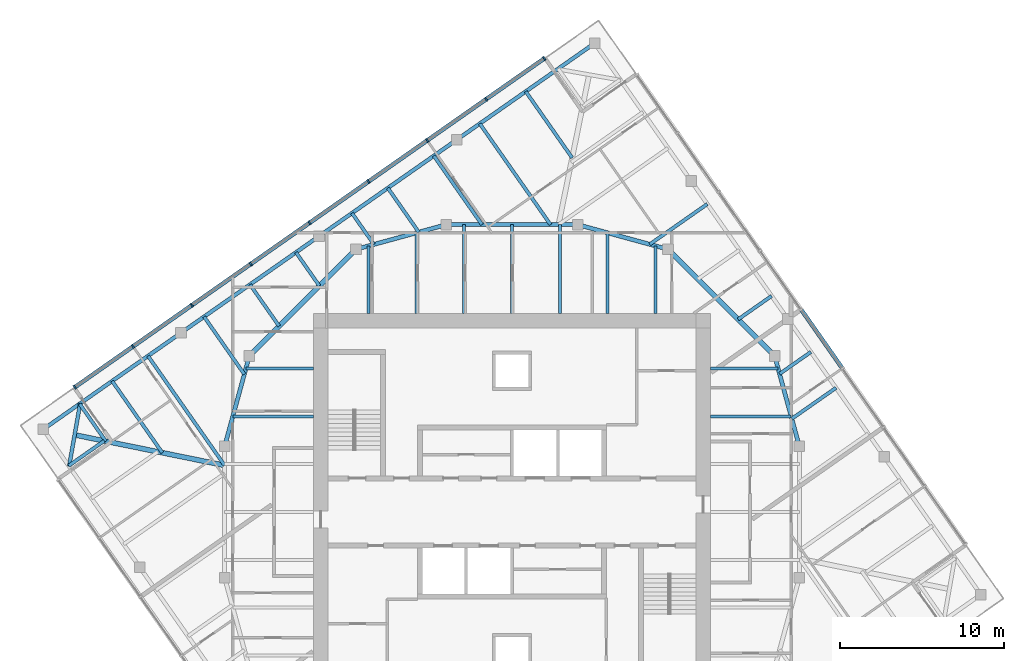
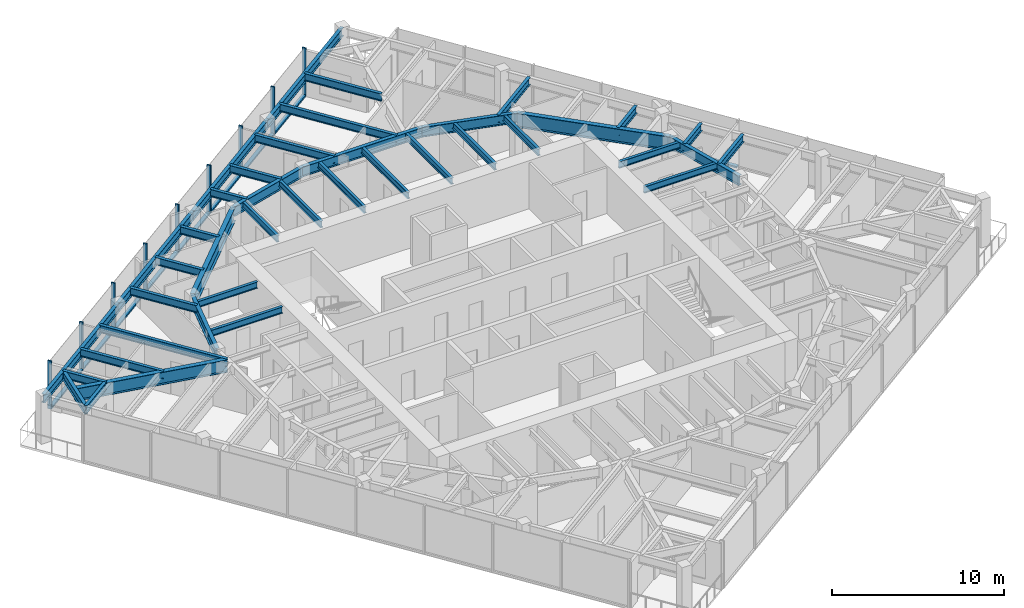
# One storey, part 4 of 12: 40 beams, 18 members, 2 elements without a shape of their own.
"""IFC4 building model written with IfcOpenShell, lengths in metres."""

import ifcopenshell
import ifcopenshell.guid

model = None  # the IFC model being written
_history = None  # IfcOwnerHistory: only IFC2X3 demands one
_inside = {}  # id of a spatial element -> (the spatial element, [elements in it])
_under = {}  # id of a project, library or spatial element -> (it, [spatial elements below it])
_declared = {}  # id of a project -> (the project, [libraries it declares])
_typed = {}  # id of a type object -> (the type object, [elements of that type])
_made_of = {}  # id of a material, layer set ... -> (it, [elements and type objects made of it])


def new_model(schema):
    """Start an empty IFC model of exactly this schema.

    Asked for "IFC4X3", IfcOpenShell would pick the latest addendum, in which some entities
    have other attributes; the version numbers below select the first issue.
    IFC2X3 requires an IfcOwnerHistory on every rooted entity: one is made here for all.
    """
    global model, _history
    if schema == "IFC4X3":
        model = ifcopenshell.file(schema_version=(4, 3, 0, 0))
    else:
        model = ifcopenshell.file(schema=schema)
    _inside.clear()
    _under.clear()
    _declared.clear()
    _typed.clear()
    _made_of.clear()
    _history = None
    if model.schema == "IFC2X3":
        org = make("IfcOrganization", Name="unknown")
        user = make(
            "IfcPersonAndOrganization",
            ThePerson=make("IfcPerson", FamilyName="unknown"),
            TheOrganization=org,
        )
        app = make(
            "IfcApplication",
            ApplicationDeveloper=org,
            Version="unknown",
            ApplicationFullName="unknown",
            ApplicationIdentifier="unknown",
        )
        _history = make(
            "IfcOwnerHistory",
            OwningUser=user,
            OwningApplication=app,
            ChangeAction="ADDED",
            CreationDate=0,
        )
    return model


def make(cls, **values):
    """One entity of the class cls with the attributes given. An attribute that is None is left unset."""
    return model.create_entity(
        cls, **{name: value for name, value in values.items() if value is not None}
    )


def rooted(cls, **values):
    """An entity with a GlobalId (a new one), such as an element, a storey or a relation."""
    return make(cls, GlobalId=ifcopenshell.guid.new(), OwnerHistory=_history, **values)


def si_unit(unit_type, name, prefix=None):
    """IfcSIUnit, for example si_unit("LENGTHUNIT", "METRE", prefix="MILLI")."""
    return make("IfcSIUnit", UnitType=unit_type, Prefix=prefix, Name=name)


def assignment(units):
    """IfcUnitAssignment: the units of a project."""
    return None if units is None else make("IfcUnitAssignment", Units=units)


def point(xyz):
    """IfcCartesianPoint."""
    return None if xyz is None else make("IfcCartesianPoint", Coordinates=xyz)


def direction(xyz):
    """IfcDirection."""
    return None if xyz is None else make("IfcDirection", DirectionRatios=xyz)


def frame(location, z_axis=None, x_axis=None):
    """IfcAxis2Placement3D, a coordinate frame: its origin and axes. An axis left out is left unset."""
    return make(
        "IfcAxis2Placement3D",
        Location=point(location),
        Axis=direction(z_axis),
        RefDirection=direction(x_axis),
    )


def frame_2d(location, x_axis=None):
    """IfcAxis2Placement2D, a coordinate frame in the plane: its origin and x axis."""
    return make(
        "IfcAxis2Placement2D", Location=point(location), RefDirection=direction(x_axis)
    )


def origin():
    """The frame at (0, 0, 0) with its axes left unset."""
    return frame((0.0, 0.0, 0.0))


def origin_2d():
    """The frame at (0, 0) in the plane with its x axis left unset."""
    return frame_2d((0.0, 0.0))


def place(relative_to, where):
    """IfcLocalPlacement: puts the frame where relative to a parent placement (None: the world)."""
    return make(
        "IfcLocalPlacement", PlacementRelTo=relative_to, RelativePlacement=where
    )


def context(
    kind, dimensions, precision=None, world=None, true_north=None, identifier=None
):
    """IfcGeometricRepresentationContext, for example the 3D "Model" context."""
    return make(
        "IfcGeometricRepresentationContext",
        ContextIdentifier=identifier,
        ContextType=kind,
        CoordinateSpaceDimension=dimensions,
        Precision=precision,
        WorldCoordinateSystem=world,
        TrueNorth=true_north,
    )


def subcontext(parent, identifier, kind, view, scale=None):
    """IfcGeometricRepresentationSubContext, for example "Body" below "Model"."""
    return make(
        "IfcGeometricRepresentationSubContext",
        ContextIdentifier=identifier,
        ContextType=kind,
        ParentContext=parent,
        TargetScale=scale,
        TargetView=view,
    )


def project(units=None, contexts=None):
    """IfcProject with its units and contexts."""
    return rooted(
        "IfcProject",
        Name="project",
        RepresentationContexts=contexts,
        UnitsInContext=assignment(units),
    )


def spatial(cls, under=None, at=None, **own):
    """A site, building, storey or space (cls), placed at a placement, below another one or the project."""
    s = rooted(cls, ObjectPlacement=at, **own)
    if under is not None:
        _under.setdefault(under.id(), (under, []))[1].append(s)
    return s


def profile(cls, at=None, kind="AREA", **sizes):
    """A parametric profile (cls). Its sizes go by their IFC names, for example OverallWidth=200.0."""
    return make(cls, ProfileType=kind, Position=at, **sizes)


def rectangle(**sizes):
    """IfcRectangleProfileDef."""
    return profile("IfcRectangleProfileDef", **sizes)


def i_section(**sizes):
    """IfcIShapeProfileDef."""
    return profile("IfcIShapeProfileDef", **sizes)


def extrude(swept, where, along, depth):
    """IfcExtrudedAreaSolid: the profile swept, set in the frame where, extruded along a direction by depth."""
    return make(
        "IfcExtrudedAreaSolid",
        SweptArea=swept,
        Position=where,
        ExtrudedDirection=direction(along),
        Depth=depth,
    )


def shape(context_of_items, identifier, shape_type, items):
    """IfcShapeRepresentation: the items that make up one representation, for example the "Body"."""
    return make(
        "IfcShapeRepresentation",
        ContextOfItems=context_of_items,
        RepresentationIdentifier=identifier,
        RepresentationType=shape_type,
        Items=items,
    )


def material(Name=None, Category=None):
    """IfcMaterial."""
    return make("IfcMaterial", Name=Name, Category=Category)


def material_profile(
    of_material, cross_section, Name=None, Category=None, Priority=None
):
    """IfcMaterialProfile: a cross section and its material."""
    return make(
        "IfcMaterialProfile",
        Name=Name,
        Material=of_material,
        Profile=cross_section,
        Priority=Priority,
        Category=Category,
    )


def profile_set(profiles, Name=None, composite=None):
    """IfcMaterialProfileSet."""
    return make(
        "IfcMaterialProfileSet",
        Name=Name,
        MaterialProfiles=profiles,
        CompositeProfile=composite,
    )


def made_of(thing, what):
    """Note that an element or type object is made of a material, layer set ...; save() writes the relation."""
    if what is not None:
        _made_of.setdefault(what.id(), (what, []))[1].append(thing)
    return thing


def type_object(cls, material=None, **own):
    """A type object (cls), such as IfcWallType, which elements share."""
    return made_of(rooted(cls, **own), material)


def element(
    cls,
    number,
    at=None,
    inside=None,
    cuts=None,
    type_object=None,
    material=None,
    context=None,
    identifier="Body",
    shape_type=None,
    held_by="IfcProductDefinitionShape",
    body=None,
    shapes=None,
    **own,
):
    """One element of the class cls, such as IfcWall. Its Tag is "e" and its number.

    at: its placement. inside: the storey or other place that contains it. cuts: it is an
    opening in that element (IfcRelVoidsElement). A single representation is given by context,
    identifier, shape_type and body (its items); several are given by shapes. held_by: the class
    of the entity that holds the representations. save() writes the other relations.
    """
    e = rooted(cls, Tag="e%d" % number, ObjectPlacement=at, **own)
    if body is not None:
        shapes = [shape(context, identifier, shape_type, body)]
    if shapes is not None:
        e.Representation = make(held_by, Representations=shapes)
    if inside is not None:
        _inside.setdefault(inside.id(), (inside, []))[1].append(e)
    if cuts is not None:
        rooted(
            "IfcRelVoidsElement", RelatingBuildingElement=cuts, RelatedOpeningElement=e
        )
    if type_object is not None:
        _typed.setdefault(type_object.id(), (type_object, []))[1].append(e)
    return made_of(e, material)


def aggregate(whole, parts):
    """IfcRelAggregates: a whole, such as a stair, and the parts it consists of."""
    return rooted("IfcRelAggregates", RelatingObject=whole, RelatedObjects=parts)


def save(model, path):
    """Write the relations noted so far, then the file.

    IfcRelAggregates (storeys below a building ...), IfcRelContainedInSpatialStructure (elements
    in a storey), IfcRelDefinesByType, IfcRelAssociatesMaterial and IfcRelDeclares: one each for
    every whole, place, type object, material and project.
    """
    for whole, parts in _under.values():
        aggregate(whole, parts)
    for where, things in _inside.values():
        rooted(
            "IfcRelContainedInSpatialStructure",
            RelatedElements=things,
            RelatingStructure=where,
        )
    for kind, things in _typed.values():
        rooted("IfcRelDefinesByType", RelatedObjects=things, RelatingType=kind)
    for what, things in _made_of.values():
        rooted("IfcRelAssociatesMaterial", RelatedObjects=things, RelatingMaterial=what)
    for by, libraries in _declared.values():
        rooted("IfcRelDeclares", RelatingContext=by, RelatedDefinitions=libraries)
    model.write(path)


model = new_model("IFC4")

# Units and contexts
model_context = context("Model", 3, precision=1e-05, world=origin(), true_north=direction((0.0, 1.0)))
body_context = subcontext(model_context, "Body", "Model", "MODEL_VIEW")
ifc_project = project(units=[si_unit("LENGTHUNIT", "METRE"), si_unit("AREAUNIT", "SQUARE_METRE"), si_unit("VOLUMEUNIT", "CUBIC_METRE"), si_unit("PLANEANGLEUNIT", "RADIAN"), si_unit("MASSUNIT", "GRAM", prefix="KILO")], contexts=[model_context])

# Site, building, storey
site_placement = place(None, origin())
site = spatial("IfcSite", under=ifc_project, at=site_placement, CompositionType="ELEMENT")
building_placement = place(site_placement, origin())
building = spatial("IfcBuilding", under=site, at=building_placement, Name="Torsade Residences", CompositionType="ELEMENT")
storey_placement = place(building_placement, frame((0.0, 0.0, 247.199951171875)))
storey = spatial("IfcBuildingStorey", under=building, at=storey_placement, Name="L68", CompositionType="ELEMENT", Elevation=247.199951171875)

# Beams
ifc_material_1 = material(Name="Steel grade 300", Category="steel")
ifc_material_profile_1 = material_profile(ifc_material_1, i_section(OverallWidth=0.300048828125, OverallDepth=0.89990234375, WebThickness=0.011962890625, FlangeThickness=0.02490234375, at=origin_2d()), Name="900WB175")
ifc_profile_set_1 = profile_set([ifc_material_profile_1], Name="Steel grade 300")
beam_type_1 = type_object("IfcBeamType", Name="CORNER GIRDER 900WB175", PredefinedType="BEAM", material=ifc_profile_set_1)
beam_1_placement = place(storey_placement, frame((13.364013671875, 34.696533203125, 2.800048828125), z_axis=(0.979880626756, -0.199584461589, 0.0), x_axis=(0.199584461589, 0.979880626756, 0.0)))
element("IfcBeam", 1, at=beam_1_placement, inside=storey, type_object=beam_type_1, Name="Corner girder 13 L69", PredefinedType="BEAM", context=body_context, shape_type="SweptSolid", body=[
    extrude(i_section(OverallWidth=0.300048828125, OverallDepth=0.89990234375, WebThickness=0.011962890625, FlangeThickness=0.02490234375, at=origin_2d()), origin(), (0.0, 0.0, 1.0), 9.323486328125),
])
ifc_material_2 = material(Name="Steel grade 300", Category="steel")
ifc_material_profile_2 = material_profile(ifc_material_2, i_section(OverallWidth=0.22802734375, OverallDepth=0.60205078125, WebThickness=0.010498046875, FlangeThickness=0.014892578125, FilletRadius=0.013916015625, at=origin_2d()), Name="610UB101")
ifc_profile_set_2 = profile_set([ifc_material_profile_2], Name="Steel grade 300")
beam_type_2 = type_object("IfcBeamType", Name="CORNER TRIMMER 610UB101", PredefinedType="BEAM", material=ifc_profile_set_2)
beam_2_placement = place(storey_placement, frame((13.0263671875, 32.78173828125, 2.948974609375), z_axis=(0.173645660267, 0.984808196894, 0.0), x_axis=(-0.984808196894, 0.173645660267, 0.0)))
element("IfcBeam", 2, at=beam_2_placement, inside=storey, type_object=beam_type_2, Name="Corner trimmer 13 L69", PredefinedType="BEAM", context=body_context, shape_type="SweptSolid", body=[
    extrude(i_section(OverallWidth=0.22802734375, OverallDepth=0.60205078125, WebThickness=0.010498046875, FlangeThickness=0.014892578125, FilletRadius=0.013916015625, at=origin_2d()), origin(), (0.0, 0.0, 1.0), 3.888916015625),
])
ifc_material_3 = material(Name="Steel grade 300", Category="steel")
ifc_material_profile_3 = material_profile(ifc_material_3, i_section(OverallWidth=0.22900390625, OverallDepth=0.612060546875, WebThickness=0.011962890625, FlangeThickness=0.01953125, FilletRadius=0.013916015625, at=origin_2d()), Name="610UB125")
ifc_profile_set_3 = profile_set([ifc_material_profile_3], Name="Steel grade 300")
beam_type_3 = type_object("IfcBeamType", Name="EDGE BEAM 610UB125", PredefinedType="SPANDREL", material=ifc_profile_set_3)
for number, where, z_axis, x_axis, name in (
    (3, (45.0341796875, 58.551025390625, 2.944091796875), (-0.819150225126, -0.573579034377, 0.0), (0.573579034377, -0.819150225126, 0.0), "Edge beam 09 L69"),
    (4, (36.637939453125, 52.671875, 2.944091796875), (-0.819150225126, -0.573579034377, 0.0), (0.573579034377, -0.819150225126, 0.0), "Edge beam 10 L69"),
    (5, (28.24169921875, 46.792724609375, 2.944091796875), (-0.819150225126, -0.573579034377, 0.0), (0.573579034377, -0.819150225126, 0.0), "Edge beam 11 L69"),
):
    element("IfcBeam", number, at=place(storey_placement, frame(where, z_axis=z_axis, x_axis=x_axis)), inside=storey, type_object=beam_type_3, Name=name, PredefinedType="SPANDREL", context=body_context, shape_type="SweptSolid", body=[
        extrude(i_section(OverallWidth=0.22900390625, OverallDepth=0.612060546875, WebThickness=0.011962890625, FlangeThickness=0.01953125, FilletRadius=0.013916015625, at=origin_2d()), origin(), (0.0, 0.0, 1.0), 10.25),
    ])
beam_3_placement = place(storey_placement, frame((19.845458984375, 40.91357421875, 2.944091796875), z_axis=(-0.819146870247, -0.573583825578, 0.0), x_axis=(0.573583825578, -0.819146870247, 0.0)))
element("IfcBeam", 6, at=beam_3_placement, inside=storey, type_object=beam_type_3, Name="Edge beam 12 L69", PredefinedType="SPANDREL", context=body_context, shape_type="SweptSolid", body=[
    extrude(i_section(OverallWidth=0.22900390625, OverallDepth=0.612060546875, WebThickness=0.011962890625, FlangeThickness=0.01953125, FilletRadius=0.013916015625, at=origin_2d()), origin(), (0.0, 0.0, 1.0), 10.250244140625),
])

# Curtain wall, members
ifc_material_4 = material(Name="Aluminium and glass", Category="aluminium")
curtain_wall_type = type_object("IfcCurtainWallType", Name="FRITTED GLASS CURTAIN WALL HIGH ZONE", PredefinedType="NOTDEFINED", material=ifc_material_4)
curtain_wall_1_placement = place(storey_placement, origin())
curtain_wall_1 = element("IfcCurtainWall", 7, at=curtain_wall_1_placement, inside=storey, type_object=curtain_wall_type, Name="Curtain wall L68 face 7", PredefinedType="NOTDEFINED")
ifc_material_5 = material(Name="Aluminium mullion", Category="aluminium")
ifc_material_profile_4 = material_profile(ifc_material_5, rectangle(XDim=0.25, YDim=0.10009765625, at=origin_2d()), Name="HIGH ZONE CURTAIN WALL MULLION 250x100")
ifc_profile_set_4 = profile_set([ifc_material_profile_4], Name="Aluminium mullion")
member_type_1 = type_object("IfcMemberType", Name="HIGH ZONE CURTAIN WALL MULLION 250x100", PredefinedType="MULLION", material=ifc_profile_set_4)
member_1_placement = place(storey_placement, frame((41.96240234375, 57.62060546875, 0.0), z_axis=(0.0, 0.0, 1.0), x_axis=(0.573576457682, -0.819152029353, 0.0)))
member_1 = element("IfcMember", 8, at=member_1_placement, type_object=member_type_1, Name="Mullion 1", PredefinedType="MULLION", context=body_context, shape_type="SweptSolid", body=[
    extrude(rectangle(XDim=0.25, YDim=0.10009765625, at=origin_2d()), origin(), (0.0, 0.0, 1.0), 3.400146484375),
])
member_2_placement = place(storey_placement, frame((38.41943359375, 55.139892578125, 0.0), z_axis=(0.0, 0.0, 1.0), x_axis=(0.573576457682, -0.819152029353, 0.0)))
member_2 = element("IfcMember", 9, at=member_2_placement, type_object=member_type_1, Name="Mullion 2", PredefinedType="MULLION", context=body_context, shape_type="SweptSolid", body=[
    extrude(rectangle(XDim=0.25, YDim=0.10009765625, at=origin_2d()), origin(), (0.0, 0.0, 1.0), 3.400146484375),
])
member_3_placement = place(storey_placement, frame((34.835693359375, 52.630615234375, 0.0), z_axis=(0.0, 0.0, 1.0), x_axis=(0.573576457682, -0.819152029353, 0.0)))
member_3 = element("IfcMember", 10, at=member_3_placement, type_object=member_type_1, Name="Mullion 3", PredefinedType="MULLION", context=body_context, shape_type="SweptSolid", body=[
    extrude(rectangle(XDim=0.25, YDim=0.10009765625, at=origin_2d()), origin(), (0.0, 0.0, 1.0), 3.400146484375),
])
member_4_placement = place(storey_placement, frame((31.251953125, 50.12109375, 0.0), z_axis=(0.0, 0.0, 1.0), x_axis=(0.573576457682, -0.819152029353, 0.0)))
member_4 = element("IfcMember", 11, at=member_4_placement, type_object=member_type_1, Name="Mullion 4", PredefinedType="MULLION", context=body_context, shape_type="SweptSolid", body=[
    extrude(rectangle(XDim=0.25, YDim=0.10009765625, at=origin_2d()), origin(), (0.0, 0.0, 1.0), 3.400146484375),
])
member_5_placement = place(storey_placement, frame((27.668212890625, 47.61181640625, 0.0), z_axis=(0.0, 0.0, 1.0), x_axis=(0.573576457682, -0.819152029353, 0.0)))
member_5 = element("IfcMember", 12, at=member_5_placement, type_object=member_type_1, Name="Mullion 5", PredefinedType="MULLION", context=body_context, shape_type="SweptSolid", body=[
    extrude(rectangle(XDim=0.25, YDim=0.10009765625, at=origin_2d()), origin(), (0.0, 0.0, 1.0), 3.400146484375),
])
member_6_placement = place(storey_placement, frame((24.084228515625, 45.102294921875, 0.0), z_axis=(0.0, 0.0, 1.0), x_axis=(0.573576457682, -0.819152029353, 0.0)))
member_6 = element("IfcMember", 13, at=member_6_placement, type_object=member_type_1, Name="Mullion 6", PredefinedType="MULLION", context=body_context, shape_type="SweptSolid", body=[
    extrude(rectangle(XDim=0.25, YDim=0.10009765625, at=origin_2d()), origin(), (0.0, 0.0, 1.0), 3.400146484375),
])
member_7_placement = place(storey_placement, frame((20.50048828125, 42.593017578125, 0.0), z_axis=(0.0, 0.0, 1.0), x_axis=(0.573576457682, -0.819152029353, 0.0)))
member_7 = element("IfcMember", 14, at=member_7_placement, type_object=member_type_1, Name="Mullion 7", PredefinedType="MULLION", context=body_context, shape_type="SweptSolid", body=[
    extrude(rectangle(XDim=0.25, YDim=0.10009765625, at=origin_2d()), origin(), (0.0, 0.0, 1.0), 3.400146484375),
])
member_8_placement = place(storey_placement, frame((16.916748046875, 40.08349609375, 0.0), z_axis=(0.0, 0.0, 1.0), x_axis=(0.573576457682, -0.819152029353, 0.0)))
member_8 = element("IfcMember", 15, at=member_8_placement, type_object=member_type_1, Name="Mullion 8", PredefinedType="MULLION", context=body_context, shape_type="SweptSolid", body=[
    extrude(rectangle(XDim=0.25, YDim=0.10009765625, at=origin_2d()), origin(), (0.0, 0.0, 1.0), 3.400146484375),
])
member_9_placement = place(storey_placement, frame((13.3740234375, 37.602783203125, 0.0), z_axis=(0.0, 0.0, 1.0), x_axis=(0.573576457682, -0.819152029353, 0.0)))
member_9 = element("IfcMember", 16, at=member_9_placement, type_object=member_type_1, Name="Mullion 9", PredefinedType="MULLION", context=body_context, shape_type="SweptSolid", body=[
    extrude(rectangle(XDim=0.25, YDim=0.10009765625, at=origin_2d()), origin(), (0.0, 0.0, 1.0), 3.400146484375),
])

# Curtain wall, member
curtain_wall_2_placement = place(storey_placement, origin())
curtain_wall_2 = element("IfcCurtainWall", 17, at=curtain_wall_2_placement, inside=storey, type_object=curtain_wall_type, Name="Curtain wall L68 face 4", PredefinedType="NOTDEFINED")
ifc_material_6 = material(Name="Aluminium transom", Category="aluminium")
ifc_material_profile_5 = material_profile(ifc_material_6, rectangle(XDim=0.25, YDim=0.1201171875, at=origin_2d()), Name="HIGH ZONE CURTAIN WALL TRANSOM 250x120")
ifc_profile_set_5 = profile_set([ifc_material_profile_5], Name="Aluminium transom")
member_type_2 = type_object("IfcMemberType", Name="HIGH ZONE CURTAIN WALL TRANSOM 250x120", PredefinedType="USERDEFINED", material=ifc_profile_set_5)
member_10_placement = place(storey_placement, frame((60.092529296875, 38.7890625, 0.06005859375), z_axis=(-0.57358498433, 0.819146058863, 0.0), x_axis=(-0.819146058863, -0.57358498433, 0.0)))
member_10 = element("IfcMember", 18, at=member_10_placement, type_object=member_type_2, Name="Transom 4.1", ObjectType="TRANSOM", PredefinedType="USERDEFINED", context=body_context, shape_type="SweptSolid", body=[
    extrude(rectangle(XDim=0.25, YDim=0.1201171875, at=origin_2d()), origin(), (0.0, 0.0, 1.0), 4.275146484375),
])
aggregate(curtain_wall_2, [member_10])

# Member
member_11_placement = place(storey_placement, frame((41.92138671875, 57.592041015625, 0.06005859375), z_axis=(-0.819155901234, -0.573570928023, 0.0), x_axis=(0.573570928023, -0.819155901234, 0.0)))
member_11 = element("IfcMember", 19, at=member_11_placement, type_object=member_type_2, Name="Transom 1.1", ObjectType="TRANSOM", PredefinedType="USERDEFINED", context=body_context, shape_type="SweptSolid", body=[
    extrude(rectangle(XDim=0.25, YDim=0.1201171875, at=origin_2d()), origin(), (0.0, 0.0, 1.0), 4.22509765625),
])

member_12_placement = place(storey_placement, frame((38.37841796875, 55.111328125, 0.06005859375), z_axis=(-0.819127269283, -0.573611817101, 0.0), x_axis=(0.573611817101, -0.819127269283, 0.0)))
member_12 = element("IfcMember", 20, at=member_12_placement, type_object=member_type_2, Name="Transom 2.1", ObjectType="TRANSOM", PredefinedType="USERDEFINED", context=body_context, shape_type="SweptSolid", body=[
    extrude(rectangle(XDim=0.25, YDim=0.1201171875, at=origin_2d()), origin(), (0.0, 0.0, 1.0), 4.27490234375),
])

member_13_placement = place(storey_placement, frame((34.794677734375, 52.601806640625, 0.06005859375), z_axis=(-0.819154102984, -0.573573496219, 0.0), x_axis=(0.573573496219, -0.819154102984, 0.0)))
member_13 = element("IfcMember", 21, at=member_13_placement, type_object=member_type_2, Name="Transom 3.1", ObjectType="TRANSOM", PredefinedType="USERDEFINED", context=body_context, shape_type="SweptSolid", body=[
    extrude(rectangle(XDim=0.25, YDim=0.1201171875, at=origin_2d()), origin(), (0.0, 0.0, 1.0), 4.27490234375),
])

member_14_placement = place(storey_placement, frame((31.2109375, 50.092529296875, 0.06005859375), z_axis=(-0.819146058863, -0.57358498433, 0.0), x_axis=(0.57358498433, -0.819146058863, 0.0)))
member_14 = element("IfcMember", 22, at=member_14_placement, type_object=member_type_2, Name="Transom 4.1", ObjectType="TRANSOM", PredefinedType="USERDEFINED", context=body_context, shape_type="SweptSolid", body=[
    extrude(rectangle(XDim=0.25, YDim=0.1201171875, at=origin_2d()), origin(), (0.0, 0.0, 1.0), 4.275146484375),
])

member_15_placement = place(storey_placement, frame((27.627197265625, 47.5830078125, 0.06005859375), z_axis=(-0.81917289067, -0.573546663483, 0.0), x_axis=(0.573546663483, -0.81917289067, 0.0)))
member_15 = element("IfcMember", 23, at=member_15_placement, type_object=member_type_2, Name="Transom 5.1", ObjectType="TRANSOM", PredefinedType="USERDEFINED", context=body_context, shape_type="SweptSolid", body=[
    extrude(rectangle(XDim=0.25, YDim=0.1201171875, at=origin_2d()), origin(), (0.0, 0.0, 1.0), 4.27490234375),
])

member_16_placement = place(storey_placement, frame((24.04345703125, 45.07373046875, 0.06005859375), z_axis=(-0.819146058863, -0.57358498433, 0.0), x_axis=(0.57358498433, -0.819146058863, 0.0)))
member_16 = element("IfcMember", 24, at=member_16_placement, type_object=member_type_2, Name="Transom 6.1", ObjectType="TRANSOM", PredefinedType="USERDEFINED", context=body_context, shape_type="SweptSolid", body=[
    extrude(rectangle(XDim=0.25, YDim=0.1201171875, at=origin_2d()), origin(), (0.0, 0.0, 1.0), 4.275146484375),
])

member_17_placement = place(storey_placement, frame((20.45947265625, 42.564208984375, 0.06005859375), z_axis=(-0.819154102984, -0.573573496219, 0.0), x_axis=(0.573573496219, -0.819154102984, 0.0)))
member_17 = element("IfcMember", 25, at=member_17_placement, type_object=member_type_2, Name="Transom 7.1", ObjectType="TRANSOM", PredefinedType="USERDEFINED", context=body_context, shape_type="SweptSolid", body=[
    extrude(rectangle(XDim=0.25, YDim=0.1201171875, at=origin_2d()), origin(), (0.0, 0.0, 1.0), 4.27490234375),
])

member_18_placement = place(storey_placement, frame((16.875732421875, 40.054931640625, 0.06005859375), z_axis=(-0.819155901234, -0.573570928023, 0.0), x_axis=(0.573570928023, -0.819155901234, 0.0)))
member_18 = element("IfcMember", 26, at=member_18_placement, type_object=member_type_2, Name="Transom 8.1", ObjectType="TRANSOM", PredefinedType="USERDEFINED", context=body_context, shape_type="SweptSolid", body=[
    extrude(rectangle(XDim=0.25, YDim=0.1201171875, at=origin_2d()), origin(), (0.0, 0.0, 1.0), 4.22509765625),
])

aggregate(curtain_wall_1, [member_1, member_2, member_3, member_4, member_5, member_6, member_7, member_8, member_9, member_11, member_12, member_13, member_14, member_15, member_16, member_17, member_18])

# Beams
ifc_material_7 = material(Name="Steel grade 300", Category="steel")
ifc_material_profile_6 = material_profile(ifc_material_7, i_section(OverallWidth=0.18994140625, OverallDepth=0.4541015625, WebThickness=0.008544921875, FlangeThickness=0.0126953125, FilletRadius=0.011474609375, at=origin_2d()), Name="460UB67.1")
ifc_profile_set_6 = profile_set([ifc_material_profile_6], Name="Steel grade 300")
beam_type_4 = type_object("IfcBeamType", Name="INNER FLOOR BEAM 460UB67.1", PredefinedType="JOIST", material=ifc_profile_set_6)
beam_4_placement = place(storey_placement, frame((31.262451171875, 42.10009765625, 3.02294921875), z_axis=(0.0, 1.0, 0.0), x_axis=(-1.0, 0.0, 0.0)))
element("IfcBeam", 27, at=beam_4_placement, inside=storey, type_object=beam_type_4, Name="Inner floor beam IN01 L69", PredefinedType="JOIST", context=body_context, shape_type="SweptSolid", body=[
    extrude(i_section(OverallWidth=0.18994140625, OverallDepth=0.4541015625, WebThickness=0.008544921875, FlangeThickness=0.0126953125, FilletRadius=0.011474609375, at=origin_2d()), origin(), (0.0, 0.0, 1.0), 4.10791015625),
])
beam_5_placement = place(storey_placement, frame((34.175048828125, 42.10009765625, 3.02294921875), z_axis=(0.0, 1.0, 0.0), x_axis=(-1.0, 0.0, 0.0)))
element("IfcBeam", 28, at=beam_5_placement, inside=storey, type_object=beam_type_4, Name="Inner floor beam IN02 L69", PredefinedType="JOIST", context=body_context, shape_type="SweptSolid", body=[
    extrude(i_section(OverallWidth=0.18994140625, OverallDepth=0.4541015625, WebThickness=0.008544921875, FlangeThickness=0.0126953125, FilletRadius=0.011474609375, at=origin_2d()), origin(), (0.0, 0.0, 1.0), 4.902099609375),
])
for number, where, z_axis, x_axis, name in (
    (29, (37.08740234375, 42.10009765625, 3.02294921875), (0.0, 1.0, 0.0), (-1.0, 0.0, 0.0), "Inner floor beam IN03 L69"),
    (30, (40.0, 42.10009765625, 3.02294921875), (0.0, 1.0, 0.0), (-1.0, 0.0, 0.0), "Inner floor beam IN04 L69"),
    (31, (42.91259765625, 42.10009765625, 3.02294921875), (0.0, 1.0, 0.0), (-1.0, 0.0, 0.0), "Inner floor beam IN05 L69"),
):
    element("IfcBeam", number, at=place(storey_placement, frame(where, z_axis=z_axis, x_axis=x_axis)), inside=storey, type_object=beam_type_4, Name=name, PredefinedType="JOIST", context=body_context, shape_type="SweptSolid", body=[
        extrude(i_section(OverallWidth=0.18994140625, OverallDepth=0.4541015625, WebThickness=0.008544921875, FlangeThickness=0.0126953125, FilletRadius=0.011474609375, at=origin_2d()), origin(), (0.0, 0.0, 1.0), 5.39990234375),
    ])
beam_6_placement = place(storey_placement, frame((45.824951171875, 42.10009765625, 3.02294921875), z_axis=(0.0, 1.0, 0.0), x_axis=(-1.0, 0.0, 0.0)))
element("IfcBeam", 32, at=beam_6_placement, inside=storey, type_object=beam_type_4, Name="Inner floor beam IN06 L69", PredefinedType="JOIST", context=body_context, shape_type="SweptSolid", body=[
    extrude(i_section(OverallWidth=0.18994140625, OverallDepth=0.4541015625, WebThickness=0.008544921875, FlangeThickness=0.0126953125, FilletRadius=0.011474609375, at=origin_2d()), origin(), (0.0, 0.0, 1.0), 4.902099609375),
])
beam_7_placement = place(storey_placement, frame((48.737548828125, 42.10009765625, 3.02294921875), z_axis=(0.0, 1.0, 0.0), x_axis=(-1.0, 0.0, 0.0)))
element("IfcBeam", 33, at=beam_7_placement, inside=storey, type_object=beam_type_4, Name="Inner floor beam IN07 L69", PredefinedType="JOIST", context=body_context, shape_type="SweptSolid", body=[
    extrude(i_section(OverallWidth=0.18994140625, OverallDepth=0.4541015625, WebThickness=0.008544921875, FlangeThickness=0.0126953125, FilletRadius=0.011474609375, at=origin_2d()), origin(), (0.0, 0.0, 1.0), 4.10791015625),
])
beam_8_placement = place(storey_placement, frame((52.10009765625, 35.824951171875, 3.02294921875), z_axis=(1.0, 0.0, 0.0), x_axis=(0.0, 1.0, 0.0)))
element("IfcBeam", 34, at=beam_8_placement, inside=storey, type_object=beam_type_4, Name="Inner floor beam IE06 L69", PredefinedType="JOIST", context=body_context, shape_type="SweptSolid", body=[
    extrude(i_section(OverallWidth=0.18994140625, OverallDepth=0.4541015625, WebThickness=0.008544921875, FlangeThickness=0.0126953125, FilletRadius=0.011474609375, at=origin_2d()), origin(), (0.0, 0.0, 1.0), 4.902099609375),
])
for number, where, z_axis, x_axis, name in (
    (35, (52.10009765625, 38.737548828125, 3.02294921875), (1.0, 0.0, 0.0), (0.0, 1.0, 0.0), "Inner floor beam IE07 L69"),
    (36, (27.89990234375, 38.737548828125, 3.02294921875), (-1.0, 0.0, 0.0), (0.0, -1.0, 0.0), "Inner floor beam IW01 L69"),
):
    element("IfcBeam", number, at=place(storey_placement, frame(where, z_axis=z_axis, x_axis=x_axis)), inside=storey, type_object=beam_type_4, Name=name, PredefinedType="JOIST", context=body_context, shape_type="SweptSolid", body=[
        extrude(i_section(OverallWidth=0.18994140625, OverallDepth=0.4541015625, WebThickness=0.008544921875, FlangeThickness=0.0126953125, FilletRadius=0.011474609375, at=origin_2d()), origin(), (0.0, 0.0, 1.0), 4.10791015625),
    ])
beam_9_placement = place(storey_placement, frame((27.89990234375, 35.824951171875, 3.02294921875), z_axis=(-1.0, 0.0, 0.0), x_axis=(0.0, -1.0, 0.0)))
element("IfcBeam", 37, at=beam_9_placement, inside=storey, type_object=beam_type_4, Name="Inner floor beam IW02 L69", PredefinedType="JOIST", context=body_context, shape_type="SweptSolid", body=[
    extrude(i_section(OverallWidth=0.18994140625, OverallDepth=0.4541015625, WebThickness=0.008544921875, FlangeThickness=0.0126953125, FilletRadius=0.011474609375, at=origin_2d()), origin(), (0.0, 0.0, 1.0), 4.902099609375),
])
ifc_material_8 = material(Name="Steel grade 300", Category="steel")
ifc_material_profile_7 = material_profile(ifc_material_8, i_section(OverallWidth=0.300048828125, OverallDepth=1.0, WebThickness=0.01611328125, FlangeThickness=0.028076171875, at=origin_2d()), Name="1000WB215")
ifc_profile_set_7 = profile_set([ifc_material_profile_7], Name="Steel grade 300")
beam_type_5 = type_object("IfcBeamType", Name="RING CORNER GIRDER 1000WB215", PredefinedType="BEAM", material=ifc_profile_set_7)
for number, where, z_axis, x_axis, name in (
    (38, (56.0, 39.5, 2.75), (-0.707106781187, 0.707106781187, 0.0), (-0.707106781187, -0.707106781187, 0.0), "Ring girder IR03 L69"),
    (39, (30.5, 46.0, 2.75), (-0.707106781187, -0.707106781187, 0.0), (0.707106781187, -0.707106781187, 0.0), "Ring girder IR07 L69"),
):
    element("IfcBeam", number, at=place(storey_placement, frame(where, z_axis=z_axis, x_axis=x_axis)), inside=storey, type_object=beam_type_5, Name=name, PredefinedType="BEAM", context=body_context, shape_type="SweptSolid", body=[
        extrude(i_section(OverallWidth=0.300048828125, OverallDepth=1.0, WebThickness=0.01611328125, FlangeThickness=0.028076171875, at=origin_2d()), origin(), (0.0, 0.0, 1.0), 9.1923828125),
    ])
ifc_material_9 = material(Name="Steel grade 300", Category="steel")
ifc_material_profile_8 = material_profile(ifc_material_9, i_section(OverallWidth=0.25, OverallDepth=0.699951171875, WebThickness=0.010009765625, FlangeThickness=0.02001953125, at=origin_2d()), Name="700WB130")
ifc_profile_set_8 = profile_set([ifc_material_profile_8], Name="Steel grade 300")
beam_type_6 = type_object("IfcBeamType", Name="RING GIRDER 700WB130", PredefinedType="BEAM", material=ifc_profile_set_8)
for number, where, z_axis, x_axis, name in (
    (40, (57.5, 34.0, 2.900146484375), (-0.263117405792, 0.964763821238, 0.0), (-0.964763821238, -0.263117405792, 0.0), "Ring girder IR02 L69"),
    (41, (49.5, 46.0, 2.900146484375), (-0.964763821238, 0.263117405792, 0.0), (-0.263117405792, -0.964763821238, 0.0), "Ring girder IR04 L69"),
):
    element("IfcBeam", number, at=place(storey_placement, frame(where, z_axis=z_axis, x_axis=x_axis)), inside=storey, type_object=beam_type_6, Name=name, PredefinedType="BEAM", context=body_context, shape_type="SweptSolid", body=[
        extrude(i_section(OverallWidth=0.25, OverallDepth=0.699951171875, WebThickness=0.010009765625, FlangeThickness=0.02001953125, at=origin_2d()), origin(), (0.0, 0.0, 1.0), 5.700927734375),
    ])
beam_10_placement = place(storey_placement, frame((44.0, 47.5, 2.900146484375), z_axis=(-1.0, 0.0, 0.0), x_axis=(0.0, -1.0, 0.0)))
element("IfcBeam", 42, at=beam_10_placement, inside=storey, type_object=beam_type_6, Name="Ring girder IR05 L69", PredefinedType="BEAM", context=body_context, shape_type="SweptSolid", body=[
    extrude(i_section(OverallWidth=0.25, OverallDepth=0.699951171875, WebThickness=0.010009765625, FlangeThickness=0.02001953125, at=origin_2d()), origin(), (0.0, 0.0, 1.0), 8.0),
])
for number, where, z_axis, x_axis, name in (
    (43, (36.0, 47.5, 2.900146484375), (-0.964763821238, -0.263117405792, 0.0), (0.263117405792, -0.964763821238, 0.0), "Ring girder IR06 L69"),
    (44, (24.0, 39.5, 2.900146484375), (-0.263117405792, -0.964763821238, 0.0), (0.964763821238, -0.263117405792, 0.0), "Ring girder IR08 L69"),
):
    element("IfcBeam", number, at=place(storey_placement, frame(where, z_axis=z_axis, x_axis=x_axis)), inside=storey, type_object=beam_type_6, Name=name, PredefinedType="BEAM", context=body_context, shape_type="SweptSolid", body=[
        extrude(i_section(OverallWidth=0.25, OverallDepth=0.699951171875, WebThickness=0.010009765625, FlangeThickness=0.02001953125, at=origin_2d()), origin(), (0.0, 0.0, 1.0), 5.700927734375),
    ])
ifc_material_10 = material(Name="Steel grade 300", Category="steel")
ifc_material_profile_9 = material_profile(ifc_material_10, i_section(OverallWidth=0.208984375, OverallDepth=0.532958984375, WebThickness=0.01025390625, FlangeThickness=0.015625, FilletRadius=0.013916015625, at=origin_2d()), Name="530UB92.4")
ifc_profile_set_9 = profile_set([ifc_material_profile_9], Name="Steel grade 300")
beam_type_7 = type_object("IfcBeamType", Name="SECONDARY BEAM 530UB92.4", PredefinedType="JOIST", material=ifc_profile_set_9)
beam_11_placement = place(storey_placement, frame((59.732177734375, 37.56005859375, 2.983642578125), z_axis=(-0.819169032504, -0.573552173902, 0.0), x_axis=(0.573552173902, -0.819169032504, 0.0)))
element("IfcBeam", 45, at=beam_11_placement, inside=storey, type_object=beam_type_7, Name="Floor beam FE05 L69", PredefinedType="JOIST", context=body_context, shape_type="SweptSolid", body=[
    extrude(i_section(OverallWidth=0.208984375, OverallDepth=0.532958984375, WebThickness=0.01025390625, FlangeThickness=0.015625, FilletRadius=0.013916015625, at=origin_2d()), origin(), (0.0, 0.0, 1.0), 3.283203125),
])
beam_12_placement = place(storey_placement, frame((58.20263671875, 39.74462890625, 2.983642578125), z_axis=(-0.819157953557, -0.573567996949, 0.0), x_axis=(0.573567996949, -0.819157953557, 0.0)))
element("IfcBeam", 46, at=beam_12_placement, inside=storey, type_object=beam_type_7, Name="Floor beam FE06 L69", PredefinedType="JOIST", context=body_context, shape_type="SweptSolid", body=[
    extrude(i_section(OverallWidth=0.208984375, OverallDepth=0.532958984375, WebThickness=0.01025390625, FlangeThickness=0.015625, FilletRadius=0.013916015625, at=origin_2d()), origin(), (0.0, 0.0, 1.0), 2.326171875),
])
beam_13_placement = place(storey_placement, frame((55.812744140625, 43.15771484375, 2.983642578125), z_axis=(-0.819172078752, -0.573547823109, 0.0), x_axis=(0.573547823109, -0.819172078752, 0.0)))
element("IfcBeam", 47, at=beam_13_placement, inside=storey, type_object=beam_type_7, Name="Floor beam FE07 L69", PredefinedType="JOIST", context=body_context, shape_type="SweptSolid", body=[
    extrude(i_section(OverallWidth=0.208984375, OverallDepth=0.532958984375, WebThickness=0.01025390625, FlangeThickness=0.015625, FilletRadius=0.013916015625, at=origin_2d()), origin(), (0.0, 0.0, 1.0), 2.491943359375),
])
beam_14_placement = place(storey_placement, frame((51.893310546875, 48.755126953125, 2.983642578125), z_axis=(-0.819148759439, -0.573581127575, 0.0), x_axis=(0.573581127575, -0.819148759439, 0.0)))
element("IfcBeam", 48, at=beam_14_placement, inside=storey, type_object=beam_type_7, Name="Floor beam FE09 L69", PredefinedType="JOIST", context=body_context, shape_type="SweptSolid", body=[
    extrude(i_section(OverallWidth=0.208984375, OverallDepth=0.532958984375, WebThickness=0.01025390625, FlangeThickness=0.015625, FilletRadius=0.013916015625, at=origin_2d()), origin(), (0.0, 0.0, 1.0), 4.276123046875),
])
beam_15_placement = place(storey_placement, frame((40.836181640625, 55.611328125, 2.983642578125), z_axis=(0.573575295634, -0.819152843027, 0.0), x_axis=(0.819152843027, 0.573575295634, 0.0)))
element("IfcBeam", 49, at=beam_15_placement, inside=storey, type_object=beam_type_7, Name="Floor beam FN02 L69", PredefinedType="JOIST", context=body_context, shape_type="SweptSolid", body=[
    extrude(i_section(OverallWidth=0.208984375, OverallDepth=0.532958984375, WebThickness=0.01025390625, FlangeThickness=0.015625, FilletRadius=0.013916015625, at=origin_2d()), origin(), (0.0, 0.0, 1.0), 4.931884765625),
])
beam_16_placement = place(storey_placement, frame((38.037353515625, 53.651611328125, 2.983642578125), z_axis=(0.573573614851, -0.819154019917, 0.0), x_axis=(0.819154019917, 0.573573614851, 0.0)))
element("IfcBeam", 50, at=beam_16_placement, inside=storey, type_object=beam_type_7, Name="Floor beam FN03 L69", PredefinedType="JOIST", context=body_context, shape_type="SweptSolid", body=[
    extrude(i_section(OverallWidth=0.208984375, OverallDepth=0.532958984375, WebThickness=0.01025390625, FlangeThickness=0.015625, FilletRadius=0.013916015625, at=origin_2d()), origin(), (0.0, 0.0, 1.0), 7.509765625),
])
beam_17_placement = place(storey_placement, frame((35.238525390625, 51.69189453125, 2.983642578125), z_axis=(0.573590411882, -0.819142258339, 0.0), x_axis=(0.819142258339, 0.573590411882, 0.0)))
element("IfcBeam", 51, at=beam_17_placement, inside=storey, type_object=beam_type_7, Name="Floor beam FN04 L69", PredefinedType="JOIST", context=body_context, shape_type="SweptSolid", body=[
    extrude(i_section(OverallWidth=0.208984375, OverallDepth=0.532958984375, WebThickness=0.01025390625, FlangeThickness=0.015625, FilletRadius=0.013916015625, at=origin_2d()), origin(), (0.0, 0.0, 1.0), 5.117431640625),
])
beam_18_placement = place(storey_placement, frame((32.43994140625, 49.732177734375, 2.983642578125), z_axis=(0.573552173902, -0.819169032504, 0.0), x_axis=(0.819169032504, 0.573552173902, 0.0)))
element("IfcBeam", 52, at=beam_18_placement, inside=storey, type_object=beam_type_7, Name="Floor beam FN05 L69", PredefinedType="JOIST", context=body_context, shape_type="SweptSolid", body=[
    extrude(i_section(OverallWidth=0.208984375, OverallDepth=0.532958984375, WebThickness=0.01025390625, FlangeThickness=0.015625, FilletRadius=0.013916015625, at=origin_2d()), origin(), (0.0, 0.0, 1.0), 3.283203125),
])
beam_19_placement = place(storey_placement, frame((30.25537109375, 48.20263671875, 2.983642578125), z_axis=(0.573567996949, -0.819157953557, 0.0), x_axis=(0.819157953557, 0.573567996949, 0.0)))
element("IfcBeam", 53, at=beam_19_placement, inside=storey, type_object=beam_type_7, Name="Floor beam FN06 L69", PredefinedType="JOIST", context=body_context, shape_type="SweptSolid", body=[
    extrude(i_section(OverallWidth=0.208984375, OverallDepth=0.532958984375, WebThickness=0.01025390625, FlangeThickness=0.015625, FilletRadius=0.013916015625, at=origin_2d()), origin(), (0.0, 0.0, 1.0), 2.326171875),
])
beam_20_placement = place(storey_placement, frame((26.84228515625, 45.812744140625, 2.983642578125), z_axis=(0.573547823109, -0.819172078752, 0.0), x_axis=(0.819172078752, 0.573547823109, 0.0)))
element("IfcBeam", 54, at=beam_20_placement, inside=storey, type_object=beam_type_7, Name="Floor beam FN07 L69", PredefinedType="JOIST", context=body_context, shape_type="SweptSolid", body=[
    extrude(i_section(OverallWidth=0.208984375, OverallDepth=0.532958984375, WebThickness=0.01025390625, FlangeThickness=0.015625, FilletRadius=0.013916015625, at=origin_2d()), origin(), (0.0, 0.0, 1.0), 2.491943359375),
])
beam_21_placement = place(storey_placement, frame((24.04345703125, 43.85302734375, 2.983642578125), z_axis=(0.573600013401, -0.819135534955, 0.0), x_axis=(0.819135534955, 0.573600013401, 0.0)))
element("IfcBeam", 55, at=beam_21_placement, inside=storey, type_object=beam_type_7, Name="Floor beam FN08 L69", PredefinedType="JOIST", context=body_context, shape_type="SweptSolid", body=[
    extrude(i_section(OverallWidth=0.208984375, OverallDepth=0.532958984375, WebThickness=0.01025390625, FlangeThickness=0.015625, FilletRadius=0.013916015625, at=origin_2d()), origin(), (0.0, 0.0, 1.0), 3.09423828125),
])
beam_22_placement = place(storey_placement, frame((21.244873046875, 41.893310546875, 2.983642578125), z_axis=(0.573581127575, -0.819148759439, 0.0), x_axis=(0.819148759439, 0.573581127575, 0.0)))
element("IfcBeam", 56, at=beam_22_placement, inside=storey, type_object=beam_type_7, Name="Floor beam FN09 L69", PredefinedType="JOIST", context=body_context, shape_type="SweptSolid", body=[
    extrude(i_section(OverallWidth=0.208984375, OverallDepth=0.532958984375, WebThickness=0.01025390625, FlangeThickness=0.015625, FilletRadius=0.013916015625, at=origin_2d()), origin(), (0.0, 0.0, 1.0), 4.276123046875),
])
beam_23_placement = place(storey_placement, frame((17.83154296875, 39.50341796875, 2.983642578125), z_axis=(0.573577087251, -0.819151588523, 0.0), x_axis=(0.819151588523, 0.573577087251, 0.0)))
element("IfcBeam", 57, at=beam_23_placement, inside=storey, type_object=beam_type_7, Name="Floor beam FN10 L69", PredefinedType="JOIST", context=body_context, shape_type="SweptSolid", body=[
    extrude(i_section(OverallWidth=0.208984375, OverallDepth=0.532958984375, WebThickness=0.01025390625, FlangeThickness=0.015625, FilletRadius=0.013916015625, at=origin_2d()), origin(), (0.0, 0.0, 1.0), 8.13916015625),
])
beam_24_placement = place(storey_placement, frame((15.647216796875, 37.973876953125, 2.983642578125), z_axis=(0.573597638513, -0.819137197966, 0.0), x_axis=(0.819137197966, 0.573597638513, 0.0)))
element("IfcBeam", 58, at=beam_24_placement, inside=storey, type_object=beam_type_7, Name="Floor beam FN11 L69", PredefinedType="JOIST", context=body_context, shape_type="SweptSolid", body=[
    extrude(i_section(OverallWidth=0.208984375, OverallDepth=0.532958984375, WebThickness=0.01025390625, FlangeThickness=0.015625, FilletRadius=0.013916015625, at=origin_2d()), origin(), (0.0, 0.0, 1.0), 5.328369140625),
])
beam_25_placement = place(storey_placement, frame((13.667724609375, 36.587646484375, 2.983642578125), z_axis=(0.573521270253, -0.819190669238, 0.0), x_axis=(0.819190669238, 0.573521270253, 0.0)))
element("IfcBeam", 59, at=beam_25_placement, inside=storey, type_object=beam_type_7, Name="Floor beam FN12 L69", PredefinedType="JOIST", context=body_context, shape_type="SweptSolid", body=[
    extrude(i_section(OverallWidth=0.208984375, OverallDepth=0.532958984375, WebThickness=0.01025390625, FlangeThickness=0.015625, FilletRadius=0.013916015625, at=origin_2d()), origin(), (0.0, 0.0, 1.0), 2.780517578125),
])
beam_26_placement = place(storey_placement, frame((13.00244140625, 32.815673828125, 2.983642578125), z_axis=(0.819140666445, 0.573592685254, 0.0), x_axis=(-0.573592685254, 0.819140666445, 0.0)))
element("IfcBeam", 60, at=beam_26_placement, inside=storey, type_object=beam_type_7, Name="Floor beam FW01 L69", PredefinedType="JOIST", context=body_context, shape_type="SweptSolid", body=[
    extrude(i_section(OverallWidth=0.208984375, OverallDepth=0.532958984375, WebThickness=0.01025390625, FlangeThickness=0.015625, FilletRadius=0.013916015625, at=origin_2d()), origin(), (0.0, 0.0, 1.0), 2.639892578125),
])

save(model, "model.ifc")
